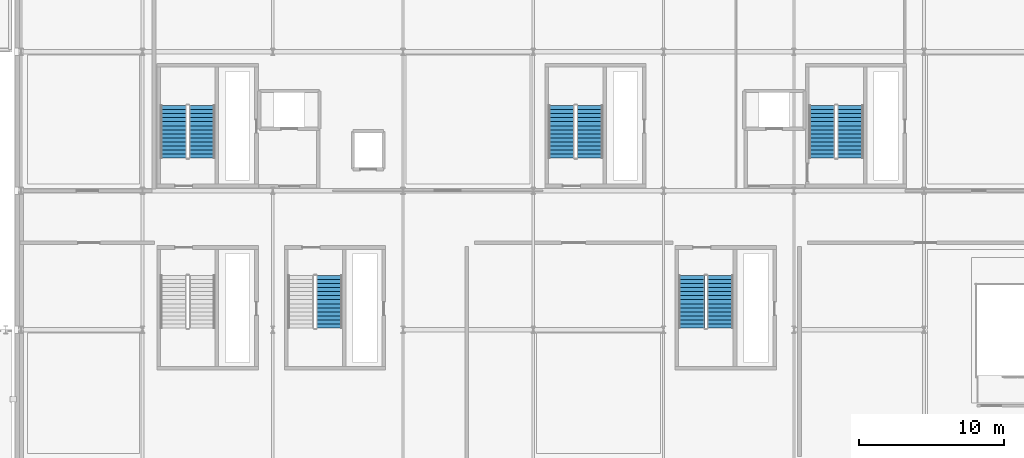
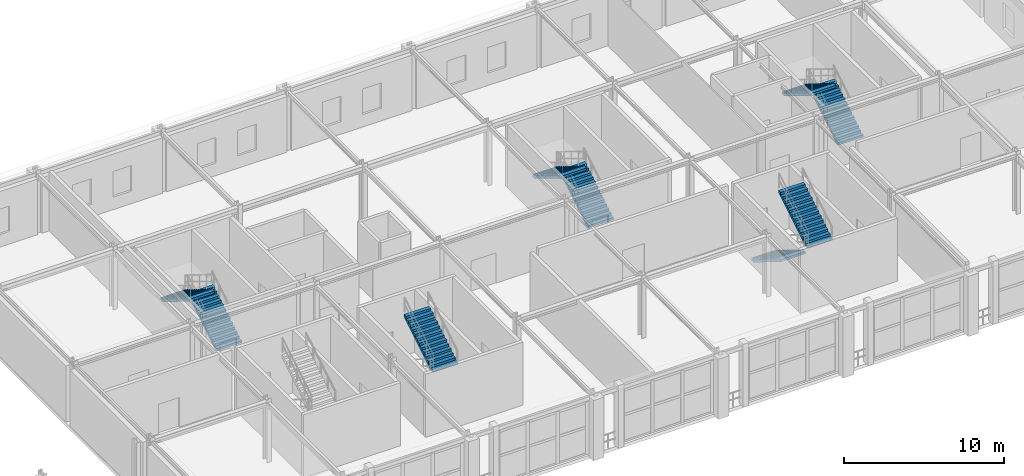
# One storey, part 85 of 125: 9 stair flights, 5 elements without a shape of their own.
"""IFC4 building model written with IfcOpenShell, lengths in metres."""

from ifc_helpers import new_model, si_unit, direction, frame, origin, place, context, subcontext, project, spatial, polyline, outline, extrude, material, type_object, element, aggregate, save


model = new_model("IFC4")

# Units and contexts
model_context = context("Model", 3, precision=1e-05, world=origin(), true_north=direction((0.0, 1.0)))
body_context = subcontext(model_context, "Body", "Model", "MODEL_VIEW")
ifc_project = project(units=[si_unit("LENGTHUNIT", "METRE"), si_unit("AREAUNIT", "SQUARE_METRE"), si_unit("VOLUMEUNIT", "CUBIC_METRE"), si_unit("PLANEANGLEUNIT", "RADIAN"), si_unit("MASSUNIT", "GRAM", prefix="KILO")], contexts=[model_context])

# Site, building, storey
site_placement = place(None, origin())
site = spatial("IfcSite", under=ifc_project, at=site_placement, CompositionType="ELEMENT")
building_placement = place(site_placement, origin())
building = spatial("IfcBuilding", under=site, at=building_placement, Name="Myrtia Square Station", CompositionType="ELEMENT")
storey_placement = place(building_placement, frame((0.0, 0.0, 6.0)))
storey = spatial("IfcBuildingStorey", under=building, at=storey_placement, Name="L01", CompositionType="ELEMENT", Elevation=6.0)

# Stair, stair flights
ifc_material = material(Name="Concrete C35/45", Category="concrete")
stair_type = type_object("IfcStairType", Name="STR-03-28R-1800W", PredefinedType="HALF_TURN_STAIR", material=ifc_material)
stair_1_placement = place(storey_placement, origin())
stair_1 = element("IfcStair", 1, at=stair_1_placement, inside=storey, type_object=stair_type, Name="L01 Core escape stair ST07", PredefinedType="HALF_TURN_STAIR")
stair_flight_type = type_object("IfcStairFlightType", Name="STF-03-14R-1800W", PredefinedType="STRAIGHT", material=ifc_material)
stair_flight_1_placement = place(storey_placement, frame((130.110107421875, 107.85009765625, 0.0), z_axis=(0.0, 0.0, 1.0), x_axis=(0.0, 1.0, 0.0)))
stair_flight_1 = element("IfcStairFlight", 2, at=stair_flight_1_placement, type_object=stair_flight_type, Name="ST07 flight 1", NumberOfRisers=14, NumberOfTreads=13, PredefinedType="STRAIGHT", RiserHeight=0.171428571, TreadLength=0.28, context=body_context, shape_type="SweptSolid", body=[
    extrude(outline(polyline([(0.0, 0.0), (0.0, 0.17138671875), (0.280029296875, 0.17138671875), (0.280029296875, 0.3427734375), (0.56005859375, 0.3427734375), (0.56005859375, 0.514404296875), (0.840087890625, 0.514404296875), (0.840087890625, 0.685791015625), (1.1201171875, 0.685791015625), (1.1201171875, 0.857177734375), (1.39990234375, 0.857177734375), (1.39990234375, 1.028564453125), (1.679931640625, 1.028564453125), (1.679931640625, 1.199951171875), (1.9599609375, 1.199951171875), (1.9599609375, 1.371337890625), (2.239990234375, 1.371337890625), (2.239990234375, 1.54296875), (2.52001953125, 1.54296875), (2.52001953125, 1.71435546875), (2.800048828125, 1.71435546875), (2.800048828125, 1.8857421875), (3.080078125, 1.8857421875), (3.080078125, 2.05712890625), (3.360107421875, 2.05712890625), (3.360107421875, 2.228515625), (3.639892578125, 2.228515625), (3.639892578125, 2.39990234375), (3.639892578125, 2.052734375), (0.287109375, 0.0), (0.0, 0.0)])), frame((0.0, 0.89990234375, 0.0), z_axis=(0.0, -1.0, 0.0), x_axis=(1.0, 0.0, 0.0)), (0.0, 0.0, 1.0), 1.800048828125),
])
stair_flight_2_placement = place(storey_placement, frame((128.14990234375, 111.489990234375, 2.39990234375), z_axis=(0.0, 0.0, 1.0), x_axis=(0.0, -1.0, 0.0)))
stair_flight_2 = element("IfcStairFlight", 3, at=stair_flight_2_placement, type_object=stair_flight_type, Name="ST07 flight 2", NumberOfRisers=14, NumberOfTreads=13, PredefinedType="STRAIGHT", RiserHeight=0.171428571, TreadLength=0.28, context=body_context, shape_type="SweptSolid", body=[
    extrude(outline(polyline([(0.0, 0.0), (0.0, 0.17138671875), (0.280029296875, 0.17138671875), (0.280029296875, 0.3427734375), (0.56005859375, 0.3427734375), (0.56005859375, 0.514404296875), (0.840087890625, 0.514404296875), (0.840087890625, 0.685791015625), (1.1201171875, 0.685791015625), (1.1201171875, 0.857177734375), (1.39990234375, 0.857177734375), (1.39990234375, 1.028564453125), (1.679931640625, 1.028564453125), (1.679931640625, 1.199951171875), (1.9599609375, 1.199951171875), (1.9599609375, 1.371337890625), (2.239990234375, 1.371337890625), (2.239990234375, 1.54296875), (2.52001953125, 1.54296875), (2.52001953125, 1.71435546875), (2.800048828125, 1.71435546875), (2.800048828125, 1.8857421875), (3.080078125, 1.8857421875), (3.080078125, 2.05712890625), (3.360107421875, 2.05712890625), (3.360107421875, 2.228515625), (3.639892578125, 2.228515625), (3.639892578125, 2.39990234375), (3.639892578125, 2.052734375), (0.287109375, 0.0), (0.0, 0.0)])), frame((0.0, 0.89990234375, 0.0), z_axis=(0.0, -1.0, 0.0), x_axis=(1.0, 0.0, 0.0)), (0.0, 0.0, 1.0), 1.800048828125),
])
aggregate(stair_1, [stair_flight_1, stair_flight_2])

stair_2_placement = place(storey_placement, origin())
stair_2 = element("IfcStair", 4, at=stair_2_placement, inside=storey, type_object=stair_type, Name="L01 Core escape stair ST08", PredefinedType="HALF_TURN_STAIR")
stair_flight_3_placement = place(storey_placement, frame((174.909912109375, 107.85009765625, 0.0), z_axis=(0.0, 0.0, 1.0), x_axis=(0.0, 1.0, 0.0)))
stair_flight_3 = element("IfcStairFlight", 5, at=stair_flight_3_placement, type_object=stair_flight_type, Name="ST08 flight 1", NumberOfRisers=14, NumberOfTreads=13, PredefinedType="STRAIGHT", RiserHeight=0.171428571, TreadLength=0.28, context=body_context, shape_type="SweptSolid", body=[
    extrude(outline(polyline([(0.0, 0.0), (0.0, 0.17138671875), (0.280029296875, 0.17138671875), (0.280029296875, 0.3427734375), (0.56005859375, 0.3427734375), (0.56005859375, 0.514404296875), (0.840087890625, 0.514404296875), (0.840087890625, 0.685791015625), (1.1201171875, 0.685791015625), (1.1201171875, 0.857177734375), (1.39990234375, 0.857177734375), (1.39990234375, 1.028564453125), (1.679931640625, 1.028564453125), (1.679931640625, 1.199951171875), (1.9599609375, 1.199951171875), (1.9599609375, 1.371337890625), (2.239990234375, 1.371337890625), (2.239990234375, 1.54296875), (2.52001953125, 1.54296875), (2.52001953125, 1.71435546875), (2.800048828125, 1.71435546875), (2.800048828125, 1.8857421875), (3.080078125, 1.8857421875), (3.080078125, 2.05712890625), (3.360107421875, 2.05712890625), (3.360107421875, 2.228515625), (3.639892578125, 2.228515625), (3.639892578125, 2.39990234375), (3.639892578125, 2.052734375), (0.287109375, 0.0), (0.0, 0.0)])), frame((0.0, 0.89990234375, 0.0), z_axis=(0.0, -1.0, 0.0), x_axis=(1.0, 0.0, 0.0)), (0.0, 0.0, 1.0), 1.800048828125),
])
stair_flight_4_placement = place(storey_placement, frame((172.949951171875, 111.489990234375, 2.39990234375), z_axis=(0.0, 0.0, 1.0), x_axis=(0.0, -1.0, 0.0)))
stair_flight_4 = element("IfcStairFlight", 6, at=stair_flight_4_placement, type_object=stair_flight_type, Name="ST08 flight 2", NumberOfRisers=14, NumberOfTreads=13, PredefinedType="STRAIGHT", RiserHeight=0.171428571, TreadLength=0.28, context=body_context, shape_type="SweptSolid", body=[
    extrude(outline(polyline([(0.0, 0.0), (0.0, 0.17138671875), (0.280029296875, 0.17138671875), (0.280029296875, 0.3427734375), (0.56005859375, 0.3427734375), (0.56005859375, 0.514404296875), (0.840087890625, 0.514404296875), (0.840087890625, 0.685791015625), (1.1201171875, 0.685791015625), (1.1201171875, 0.857177734375), (1.39990234375, 0.857177734375), (1.39990234375, 1.028564453125), (1.679931640625, 1.028564453125), (1.679931640625, 1.199951171875), (1.9599609375, 1.199951171875), (1.9599609375, 1.371337890625), (2.239990234375, 1.371337890625), (2.239990234375, 1.54296875), (2.52001953125, 1.54296875), (2.52001953125, 1.71435546875), (2.800048828125, 1.71435546875), (2.800048828125, 1.8857421875), (3.080078125, 1.8857421875), (3.080078125, 2.05712890625), (3.360107421875, 2.05712890625), (3.360107421875, 2.228515625), (3.639892578125, 2.228515625), (3.639892578125, 2.39990234375), (3.639892578125, 2.052734375), (0.287109375, 0.0), (0.0, 0.0)])), frame((0.0, 0.89990234375, 0.0), z_axis=(0.0, -1.0, 0.0), x_axis=(1.0, 0.0, 0.0)), (0.0, 0.0, 1.0), 1.800048828125),
])
aggregate(stair_2, [stair_flight_3, stair_flight_4])

# Stair, stair flight
stair_3_placement = place(storey_placement, origin())
stair_3 = element("IfcStair", 7, at=stair_3_placement, inside=storey, type_object=stair_type, Name="L01 Core escape stair ST13", PredefinedType="HALF_TURN_STAIR")
stair_flight_5_placement = place(storey_placement, frame((138.909912109375, 96.110107421875, 2.39990234375), z_axis=(0.0, 0.0, 1.0), x_axis=(0.0, 1.0, 0.0)))
stair_flight_5 = element("IfcStairFlight", 8, at=stair_flight_5_placement, type_object=stair_flight_type, Name="ST13 flight 2", NumberOfRisers=14, NumberOfTreads=13, PredefinedType="STRAIGHT", RiserHeight=0.171428571, TreadLength=0.28, context=body_context, shape_type="SweptSolid", body=[
    extrude(outline(polyline([(0.0, 0.0), (0.0, 0.17138671875), (0.280029296875, 0.17138671875), (0.280029296875, 0.3427734375), (0.56005859375, 0.3427734375), (0.56005859375, 0.514404296875), (0.840087890625, 0.514404296875), (0.840087890625, 0.685791015625), (1.1201171875, 0.685791015625), (1.1201171875, 0.857177734375), (1.39990234375, 0.857177734375), (1.39990234375, 1.028564453125), (1.679931640625, 1.028564453125), (1.679931640625, 1.199951171875), (1.9599609375, 1.199951171875), (1.9599609375, 1.371337890625), (2.239990234375, 1.371337890625), (2.239990234375, 1.54296875), (2.52001953125, 1.54296875), (2.52001953125, 1.71435546875), (2.800048828125, 1.71435546875), (2.800048828125, 1.8857421875), (3.080078125, 1.8857421875), (3.080078125, 2.05712890625), (3.360107421875, 2.05712890625), (3.360107421875, 2.228515625), (3.639892578125, 2.228515625), (3.639892578125, 2.39990234375), (3.639892578125, 2.052734375), (0.287109375, 0.0), (0.0, 0.0)])), frame((0.0, 0.89990234375, 0.0), z_axis=(0.0, -1.0, 0.0), x_axis=(1.0, 0.0, 0.0)), (0.0, 0.0, 1.0), 1.800048828125),
])
aggregate(stair_3, [stair_flight_5])

# Stair, stair flights
stair_4_placement = place(storey_placement, origin())
stair_4 = element("IfcStair", 9, at=stair_4_placement, inside=storey, type_object=stair_type, Name="L01 Core escape stair ST15", PredefinedType="HALF_TURN_STAIR")
stair_flight_6_placement = place(storey_placement, frame((156.909912109375, 107.85009765625, 0.0), z_axis=(0.0, 0.0, 1.0), x_axis=(0.0, 1.0, 0.0)))
stair_flight_6 = element("IfcStairFlight", 10, at=stair_flight_6_placement, type_object=stair_flight_type, Name="ST15 flight 1", NumberOfRisers=14, NumberOfTreads=13, PredefinedType="STRAIGHT", RiserHeight=0.171428571, TreadLength=0.28, context=body_context, shape_type="SweptSolid", body=[
    extrude(outline(polyline([(0.0, 0.0), (0.0, 0.17138671875), (0.280029296875, 0.17138671875), (0.280029296875, 0.3427734375), (0.56005859375, 0.3427734375), (0.56005859375, 0.514404296875), (0.840087890625, 0.514404296875), (0.840087890625, 0.685791015625), (1.1201171875, 0.685791015625), (1.1201171875, 0.857177734375), (1.39990234375, 0.857177734375), (1.39990234375, 1.028564453125), (1.679931640625, 1.028564453125), (1.679931640625, 1.199951171875), (1.9599609375, 1.199951171875), (1.9599609375, 1.371337890625), (2.239990234375, 1.371337890625), (2.239990234375, 1.54296875), (2.52001953125, 1.54296875), (2.52001953125, 1.71435546875), (2.800048828125, 1.71435546875), (2.800048828125, 1.8857421875), (3.080078125, 1.8857421875), (3.080078125, 2.05712890625), (3.360107421875, 2.05712890625), (3.360107421875, 2.228515625), (3.639892578125, 2.228515625), (3.639892578125, 2.39990234375), (3.639892578125, 2.052734375), (0.287109375, 0.0), (0.0, 0.0)])), frame((0.0, 0.89990234375, 0.0), z_axis=(0.0, -1.0, 0.0), x_axis=(1.0, 0.0, 0.0)), (0.0, 0.0, 1.0), 1.800048828125),
])
stair_flight_7_placement = place(storey_placement, frame((154.949951171875, 111.489990234375, 2.39990234375), z_axis=(0.0, 0.0, 1.0), x_axis=(0.0, -1.0, 0.0)))
stair_flight_7 = element("IfcStairFlight", 11, at=stair_flight_7_placement, type_object=stair_flight_type, Name="ST15 flight 2", NumberOfRisers=14, NumberOfTreads=13, PredefinedType="STRAIGHT", RiserHeight=0.171428571, TreadLength=0.28, context=body_context, shape_type="SweptSolid", body=[
    extrude(outline(polyline([(0.0, 0.0), (0.0, 0.17138671875), (0.280029296875, 0.17138671875), (0.280029296875, 0.3427734375), (0.56005859375, 0.3427734375), (0.56005859375, 0.514404296875), (0.840087890625, 0.514404296875), (0.840087890625, 0.685791015625), (1.1201171875, 0.685791015625), (1.1201171875, 0.857177734375), (1.39990234375, 0.857177734375), (1.39990234375, 1.028564453125), (1.679931640625, 1.028564453125), (1.679931640625, 1.199951171875), (1.9599609375, 1.199951171875), (1.9599609375, 1.371337890625), (2.239990234375, 1.371337890625), (2.239990234375, 1.54296875), (2.52001953125, 1.54296875), (2.52001953125, 1.71435546875), (2.800048828125, 1.71435546875), (2.800048828125, 1.8857421875), (3.080078125, 1.8857421875), (3.080078125, 2.05712890625), (3.360107421875, 2.05712890625), (3.360107421875, 2.228515625), (3.639892578125, 2.228515625), (3.639892578125, 2.39990234375), (3.639892578125, 2.052734375), (0.287109375, 0.0), (0.0, 0.0)])), frame((0.0, 0.89990234375, 0.0), z_axis=(0.0, -1.0, 0.0), x_axis=(1.0, 0.0, 0.0)), (0.0, 0.0, 1.0), 1.800048828125),
])
aggregate(stair_4, [stair_flight_6, stair_flight_7])

stair_5_placement = place(storey_placement, origin())
stair_5 = element("IfcStair", 12, at=stair_5_placement, inside=storey, type_object=stair_type, Name="L01 Core escape stair ST16", PredefinedType="HALF_TURN_STAIR")
stair_flight_8_placement = place(storey_placement, frame((163.949951171875, 99.75, 0.0), z_axis=(0.0, 0.0, 1.0), x_axis=(0.0, -1.0, 0.0)))
stair_flight_8 = element("IfcStairFlight", 13, at=stair_flight_8_placement, type_object=stair_flight_type, Name="ST16 flight 1", NumberOfRisers=14, NumberOfTreads=13, PredefinedType="STRAIGHT", RiserHeight=0.171428571, TreadLength=0.28, context=body_context, shape_type="SweptSolid", body=[
    extrude(outline(polyline([(0.0, 0.0), (0.0, 0.17138671875), (0.280029296875, 0.17138671875), (0.280029296875, 0.3427734375), (0.56005859375, 0.3427734375), (0.56005859375, 0.514404296875), (0.840087890625, 0.514404296875), (0.840087890625, 0.685791015625), (1.1201171875, 0.685791015625), (1.1201171875, 0.857177734375), (1.39990234375, 0.857177734375), (1.39990234375, 1.028564453125), (1.679931640625, 1.028564453125), (1.679931640625, 1.199951171875), (1.9599609375, 1.199951171875), (1.9599609375, 1.371337890625), (2.239990234375, 1.371337890625), (2.239990234375, 1.54296875), (2.52001953125, 1.54296875), (2.52001953125, 1.71435546875), (2.800048828125, 1.71435546875), (2.800048828125, 1.8857421875), (3.080078125, 1.8857421875), (3.080078125, 2.05712890625), (3.360107421875, 2.05712890625), (3.360107421875, 2.228515625), (3.639892578125, 2.228515625), (3.639892578125, 2.39990234375), (3.639892578125, 2.052734375), (0.287109375, 0.0), (0.0, 0.0)])), frame((0.0, 0.89990234375, 0.0), z_axis=(0.0, -1.0, 0.0), x_axis=(1.0, 0.0, 0.0)), (0.0, 0.0, 1.0), 1.800048828125),
])
stair_flight_9_placement = place(storey_placement, frame((165.909912109375, 96.110107421875, 2.39990234375), z_axis=(0.0, 0.0, 1.0), x_axis=(0.0, 1.0, 0.0)))
stair_flight_9 = element("IfcStairFlight", 14, at=stair_flight_9_placement, type_object=stair_flight_type, Name="ST16 flight 2", NumberOfRisers=14, NumberOfTreads=13, PredefinedType="STRAIGHT", RiserHeight=0.171428571, TreadLength=0.28, context=body_context, shape_type="SweptSolid", body=[
    extrude(outline(polyline([(0.0, 0.0), (0.0, 0.17138671875), (0.280029296875, 0.17138671875), (0.280029296875, 0.3427734375), (0.56005859375, 0.3427734375), (0.56005859375, 0.514404296875), (0.840087890625, 0.514404296875), (0.840087890625, 0.685791015625), (1.1201171875, 0.685791015625), (1.1201171875, 0.857177734375), (1.39990234375, 0.857177734375), (1.39990234375, 1.028564453125), (1.679931640625, 1.028564453125), (1.679931640625, 1.199951171875), (1.9599609375, 1.199951171875), (1.9599609375, 1.371337890625), (2.239990234375, 1.371337890625), (2.239990234375, 1.54296875), (2.52001953125, 1.54296875), (2.52001953125, 1.71435546875), (2.800048828125, 1.71435546875), (2.800048828125, 1.8857421875), (3.080078125, 1.8857421875), (3.080078125, 2.05712890625), (3.360107421875, 2.05712890625), (3.360107421875, 2.228515625), (3.639892578125, 2.228515625), (3.639892578125, 2.39990234375), (3.639892578125, 2.052734375), (0.287109375, 0.0), (0.0, 0.0)])), frame((0.0, 0.89990234375, 0.0), z_axis=(0.0, -1.0, 0.0), x_axis=(1.0, 0.0, 0.0)), (0.0, 0.0, 1.0), 1.800048828125),
])
aggregate(stair_5, [stair_flight_8, stair_flight_9])

save(model, "model.ifc")
